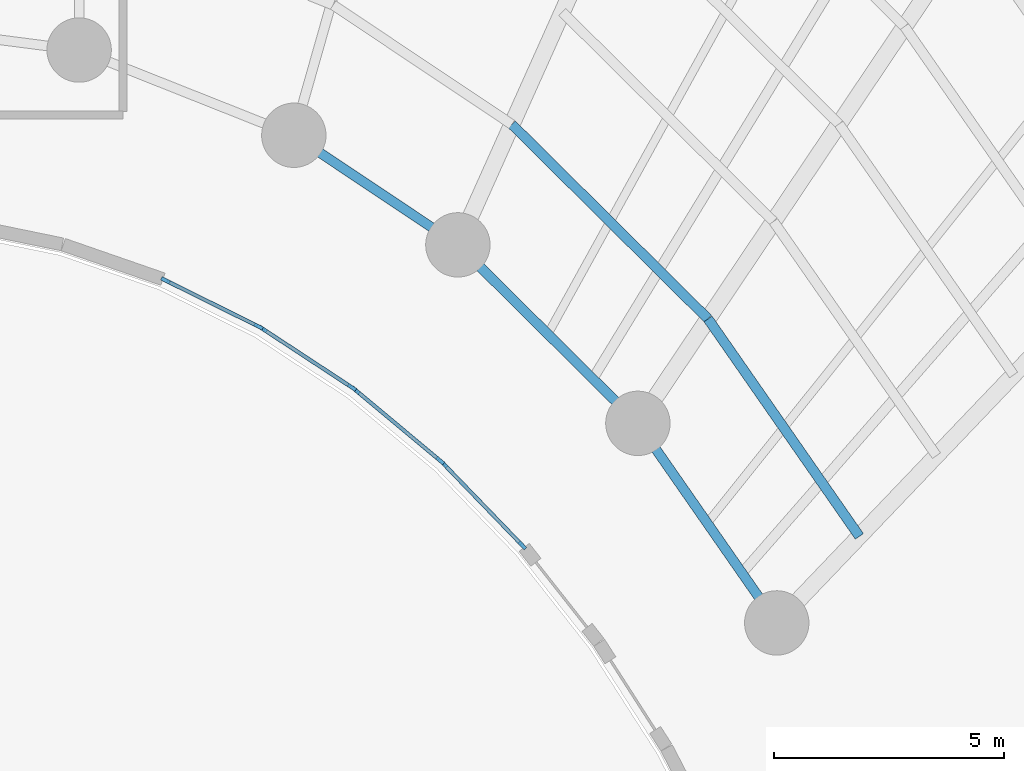
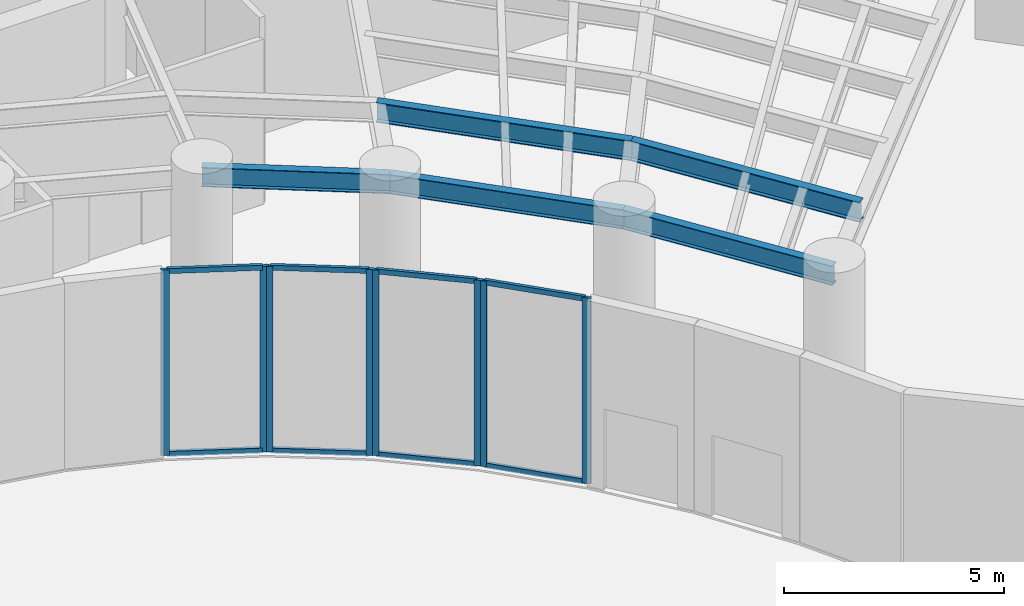
# One storey, part 3 of 17: 16 members, 5 beams, 4 elements without a shape of their own.
"""IFC4 building model written with IfcOpenShell, lengths in metres."""

from ifc_helpers import new_model, si_unit, direction, frame, origin, origin_2d, place, context, subcontext, project, spatial, rectangle, i_section, extrude, source, transform, mapped, material, layer, layer_set, material_profile, profile_set, type_object, type_shapes, element, aggregate, save


model = new_model("IFC4")

# Units and contexts
model_context = context("Model", 3, precision=1e-05, world=origin(), true_north=direction((0.0, 1.0)))
body_context = subcontext(model_context, "Body", "Model", "MODEL_VIEW")
ifc_project = project(units=[si_unit("LENGTHUNIT", "METRE"), si_unit("AREAUNIT", "SQUARE_METRE"), si_unit("VOLUMEUNIT", "CUBIC_METRE"), si_unit("PLANEANGLEUNIT", "RADIAN"), si_unit("MASSUNIT", "GRAM", prefix="KILO")], contexts=[model_context])

# Site, building, storey
site_placement = place(None, origin())
site = spatial("IfcSite", under=ifc_project, at=site_placement, CompositionType="ELEMENT")
building_placement = place(site_placement, origin())
building = spatial("IfcBuilding", under=site, at=building_placement, Name="Breltana Convention Tower", CompositionType="ELEMENT")
storey_placement = place(building_placement, frame((0.0, 0.0, 30.0)))
storey = spatial("IfcBuildingStorey", under=building, at=storey_placement, Name="L05", CompositionType="ELEMENT", Elevation=30.0)

# Beams
ifc_material_1 = material(Name="Steel ASTM A992 Grade 50", Category="steel")
ifc_material_profile_1 = material_profile(ifc_material_1, i_section(OverallWidth=0.2099609375, OverallDepth=0.537109375, WebThickness=0.010986328125, FlangeThickness=0.017333984375, at=origin_2d()), Name="W21X68")
ifc_profile_set_1 = profile_set([ifc_material_profile_1], Name="Steel ASTM A992 Grade 50")
beam_type_1 = type_object("IfcBeamType", Name="BM-BM-W21X68", PredefinedType="BEAM", material=ifc_profile_set_1)
shared_shape_1 = source(origin(), body_context, "Body", "SweptSolid", [
    extrude(i_section(OverallWidth=0.2099609375, OverallDepth=0.537109375, WebThickness=0.010986328125, FlangeThickness=0.017333984375, at=origin_2d()), origin(), (0.0, 0.0, 1.0), 4.2900390625),
])
beam_1_placement = place(storey_placement, frame((57.514892578125, 53.5576171875, 4.8916015625), z_axis=(0.831515827753, -0.555501060482, 0.0), x_axis=(0.555501060482, 0.831515827753, 0.0)))
element("IfcBeam", 1, at=beam_1_placement, inside=storey, type_object=beam_type_1, Name="L05 Inner Ring Beam 08", PredefinedType="BEAM", context=body_context, shape_type="MappedRepresentation", body=[
    mapped(shared_shape_1, transform((0.0, 0.0, 0.0), scale=1.0)),
])
shared_shape_2 = source(origin(), body_context, "Body", "SweptSolid", [
    extrude(i_section(OverallWidth=0.2099609375, OverallDepth=0.537109375, WebThickness=0.010986328125, FlangeThickness=0.017333984375, at=origin_2d()), origin(), (0.0, 0.0, 1.0), 5.51171875),
])
beam_2_placement = place(storey_placement, frame((61.08203125, 51.174560546875, 4.8916015625), z_axis=(0.710090360749, -0.704110559196, 0.0), x_axis=(0.704110559196, 0.710090360749, 0.0)))
element("IfcBeam", 2, at=beam_2_placement, inside=storey, type_object=beam_type_1, Name="L05 Inner Ring Beam 09", PredefinedType="BEAM", context=body_context, shape_type="MappedRepresentation", body=[
    mapped(shared_shape_2, transform((0.0, 0.0, 0.0), scale=1.0)),
])
ifc_material_profile_2 = material_profile(ifc_material_1, i_section(OverallWidth=0.214111328125, OverallDepth=0.549072265625, WebThickness=0.0146484375, FlangeThickness=0.023681640625, at=origin_2d()), Name="W21X93")
ifc_profile_set_2 = profile_set([ifc_material_profile_2], Name="Steel ASTM A992 Grade 50")
beam_type_2 = type_object("IfcBeamType", Name="BM-JSG-03", PredefinedType="JOIST", material=ifc_profile_set_2)
shared_shape_3 = source(origin(), body_context, "Body", "SweptSolid", [
    extrude(i_section(OverallWidth=0.214111328125, OverallDepth=0.549072265625, WebThickness=0.0146484375, FlangeThickness=0.023681640625, at=origin_2d()), origin(), (0.0, 0.0, 1.0), 6.00634765625),
])
beam_3_placement = place(storey_placement, frame((62.25634765625, 53.793212890625, 4.885498046875), z_axis=(0.710108283635, -0.704092483636, 0.0), x_axis=(0.704092483636, 0.710108283635, 0.0)))
element("IfcBeam", 3, at=beam_3_placement, inside=storey, type_object=beam_type_2, Name="L05 Composite Floor Joist 09.1", PredefinedType="JOIST", context=body_context, shape_type="MappedRepresentation", body=[
    mapped(shared_shape_3, transform((0.0, 0.0, 0.0), scale=1.0)),
])
shared_shape_4 = source(origin(), body_context, "Body", "SweptSolid", [
    extrude(i_section(OverallWidth=0.2099609375, OverallDepth=0.537109375, WebThickness=0.010986328125, FlangeThickness=0.017333984375, at=origin_2d()), origin(), (0.0, 0.0, 1.0), 5.286376953125),
])
beam_4_placement = place(storey_placement, frame((64.995849609375, 47.293701171875, 4.8916015625), z_axis=(0.571194382458, -0.82081482531, 0.0), x_axis=(0.82081482531, 0.571194382458, 0.0)))
element("IfcBeam", 4, at=beam_4_placement, inside=storey, type_object=beam_type_1, Name="L05 Inner Ring Beam 10", PredefinedType="BEAM", context=body_context, shape_type="MappedRepresentation", body=[
    mapped(shared_shape_4, transform((0.0, 0.0, 0.0), scale=1.0)),
])
shared_shape_5 = source(origin(), body_context, "Body", "SweptSolid", [
    extrude(i_section(OverallWidth=0.214111328125, OverallDepth=0.549072265625, WebThickness=0.0146484375, FlangeThickness=0.023681640625, at=origin_2d()), origin(), (0.0, 0.0, 1.0), 5.760986328125),
])
beam_5_placement = place(storey_placement, frame((66.521484375, 49.564208984375, 4.885498046875), z_axis=(0.571224653223, -0.820793759449, 0.0), x_axis=(0.820793759449, 0.571224653223, 0.0)))
element("IfcBeam", 5, at=beam_5_placement, inside=storey, type_object=beam_type_2, Name="L05 Composite Floor Joist 10.1", PredefinedType="JOIST", context=body_context, shape_type="MappedRepresentation", body=[
    mapped(shared_shape_5, transform((0.0, 0.0, 0.0), scale=1.0)),
])

# Curtain wall, members
ifc_material_2 = material(Name="Aluminium Anodised Bronze Frame", Category="aluminium")
ifc_layer = layer(ifc_material_2, 0.18994140625, Name="Aluminium Anodised Bronze Frame")
ifc_layer_set = layer_set([ifc_layer], Name="Aluminium Anodised Bronze Frame")
curtain_wall_type = type_object("IfcCurtainWallType", Name="CW-SYS-1", PredefinedType="NOTDEFINED", material=ifc_layer_set)
curtain_wall_1_placement = place(storey_placement, origin())
curtain_wall_1 = element("IfcCurtainWall", 6, at=curtain_wall_1_placement, inside=storey, type_object=curtain_wall_type, Name="L05 inner south-court glazing 3", PredefinedType="NOTDEFINED")
ifc_material_3 = material(Name="Aluminium Anodised Bronze", Category="aluminium")
ifc_material_profile_3 = material_profile(ifc_material_3, rectangle(XDim=0.080078125, YDim=0.199951171875, at=origin_2d()), Name="CWM-80X200")
ifc_profile_set_3 = profile_set([ifc_material_profile_3], Name="Aluminium Anodised Bronze")
member_type_1 = type_object("IfcMemberType", Name="CWM-200", PredefinedType="MULLION", material=ifc_profile_set_3)
shared_shape_6 = source(origin(), body_context, "Body", "SweptSolid", [
    extrude(rectangle(XDim=0.080078125, YDim=0.199951171875, at=origin_2d()), origin(), (0.0, 0.0, 1.0), 5.159912109375),
])
type_shapes(member_type_1, [shared_shape_6])
member_1_placement = place(storey_placement, frame((62.48388671875, 44.638916015625, 0.0), z_axis=(0.0, 0.0, 1.0), x_axis=(-0.719384548773, -0.694612029111, 0.0)))
member_1 = element("IfcMember", 7, at=member_1_placement, type_object=member_type_1, Name="CW-01 mullion 1", PredefinedType="MULLION", context=body_context, shape_type="MappedRepresentation", body=[
    mapped(shared_shape_6, transform((0.0, 0.0, 0.0), scale=1.0)),
])
member_2_placement = place(storey_placement, frame((60.77001953125, 46.413818359375, 0.0), z_axis=(0.0, 0.0, 1.0), x_axis=(-0.719384548773, -0.694612029111, 0.0)))
member_2 = element("IfcMember", 8, at=member_2_placement, type_object=member_type_1, Name="CW-01 mullion 2", PredefinedType="MULLION", context=body_context, shape_type="MappedRepresentation", body=[
    mapped(shared_shape_6, transform((0.0, 0.0, 0.0), scale=1.0)),
])

curtain_wall_2_placement = place(storey_placement, origin())
curtain_wall_2 = element("IfcCurtainWall", 9, at=curtain_wall_2_placement, inside=storey, type_object=curtain_wall_type, Name="L05 inner south-court glazing 4", PredefinedType="NOTDEFINED")
member_3_placement = place(storey_placement, frame((60.697265625, 46.481201171875, 0.0), z_axis=(0.0, 0.0, 1.0), x_axis=(-0.640522524458, -0.767939382804, 0.0)))
member_3 = element("IfcMember", 10, at=member_3_placement, type_object=member_type_1, Name="CW-01 mullion 1", PredefinedType="MULLION", context=body_context, shape_type="MappedRepresentation", body=[
    mapped(shared_shape_6, transform((0.0, 0.0, 0.0), scale=1.0)),
])
member_4_placement = place(storey_placement, frame((58.8603515625, 48.013671875, 0.0), z_axis=(0.0, 0.0, 1.0), x_axis=(-0.640522524458, -0.767939382804, 0.0)))
member_4 = element("IfcMember", 11, at=member_4_placement, type_object=member_type_1, Name="CW-01 mullion 2", PredefinedType="MULLION", context=body_context, shape_type="MappedRepresentation", body=[
    mapped(shared_shape_6, transform((0.0, 0.0, 0.0), scale=1.0)),
])

curtain_wall_3_placement = place(storey_placement, origin())
curtain_wall_3 = element("IfcCurtainWall", 12, at=curtain_wall_3_placement, inside=storey, type_object=curtain_wall_type, Name="L05 inner south-court glazing 5", PredefinedType="NOTDEFINED")
member_5_placement = place(storey_placement, frame((58.779541015625, 48.073486328125, 0.0), z_axis=(0.0, 0.0, 1.0), x_axis=(-0.548778278441, -0.835967942634, 0.0)))
member_5 = element("IfcMember", 13, at=member_5_placement, type_object=member_type_1, Name="CW-01 mullion 1", PredefinedType="MULLION", context=body_context, shape_type="MappedRepresentation", body=[
    mapped(shared_shape_6, transform((0.0, 0.0, 0.0), scale=1.0)),
])
member_6_placement = place(storey_placement, frame((56.83837890625, 49.347900390625, 0.0), z_axis=(0.0, 0.0, 1.0), x_axis=(-0.548778278441, -0.835967942634, 0.0)))
member_6 = element("IfcMember", 14, at=member_6_placement, type_object=member_type_1, Name="CW-01 mullion 2", PredefinedType="MULLION", context=body_context, shape_type="MappedRepresentation", body=[
    mapped(shared_shape_6, transform((0.0, 0.0, 0.0), scale=1.0)),
])

curtain_wall_4_placement = place(storey_placement, origin())
curtain_wall_4 = element("IfcCurtainWall", 15, at=curtain_wall_4_placement, inside=storey, type_object=curtain_wall_type, Name="L05 inner south-court glazing 6", PredefinedType="NOTDEFINED")
member_7_placement = place(storey_placement, frame((56.750244140625, 49.3984375, 0.0), z_axis=(0.0, 0.0, 1.0), x_axis=(-0.444117987602, -0.895968310315, 0.0)))
member_7 = element("IfcMember", 16, at=member_7_placement, type_object=member_type_1, Name="CW-01 mullion 1", PredefinedType="MULLION", context=body_context, shape_type="MappedRepresentation", body=[
    mapped(shared_shape_6, transform((0.0, 0.0, 0.0), scale=1.0)),
])
member_8_placement = place(storey_placement, frame((54.724609375, 50.40234375, 0.0), z_axis=(0.0, 0.0, 1.0), x_axis=(-0.444117987602, -0.895968310315, 0.0)))
member_8 = element("IfcMember", 17, at=member_8_placement, type_object=member_type_1, Name="CW-01 mullion 2", PredefinedType="MULLION", context=body_context, shape_type="MappedRepresentation", body=[
    mapped(shared_shape_6, transform((0.0, 0.0, 0.0), scale=1.0)),
])

# Member
ifc_material_profile_4 = material_profile(ifc_material_3, rectangle(XDim=0.080078125, YDim=0.139892578125, at=origin_2d()), Name="CWT-80X140")
ifc_profile_set_4 = profile_set([ifc_material_profile_4], Name="Aluminium Anodised Bronze")
member_type_2 = type_object("IfcMemberType", Name="CWT-140", PredefinedType="USERDEFINED", material=ifc_profile_set_4)
shared_shape_7 = source(origin(), body_context, "Body", "SweptSolid", [
    extrude(rectangle(XDim=0.080078125, YDim=0.139892578125, at=origin_2d()), origin(), (0.0, 0.0, 1.0), 2.38720703125),
])
type_shapes(member_type_2, [shared_shape_7])
member_9_placement = place(storey_placement, frame((62.4560546875, 44.667724609375, 0.0400390625), z_axis=(-0.694623715393, 0.719373264734, 0.0), x_axis=(-0.719373264734, -0.694623715393, 0.0)))
member_9 = element("IfcMember", 18, at=member_9_placement, type_object=member_type_2, Name="CW-01 transom 1.1", ObjectType="TRANSOM", PredefinedType="USERDEFINED", context=body_context, shape_type="MappedRepresentation", body=[
    mapped(shared_shape_7, transform((0.0, 0.0, 0.0), scale=1.0)),
])

member_10_placement = place(storey_placement, frame((62.4560546875, 44.667724609375, 5.1201171875), z_axis=(-0.694623715393, 0.719373264734, 0.0), x_axis=(-0.719373264734, -0.694623715393, 0.0)))
member_10 = element("IfcMember", 19, at=member_10_placement, type_object=member_type_2, Name="CW-01 transom 1.2", ObjectType="TRANSOM", PredefinedType="USERDEFINED", context=body_context, shape_type="MappedRepresentation", body=[
    mapped(shared_shape_7, transform((0.0, 0.0, 0.0), scale=1.0)),
])

aggregate(curtain_wall_1, [member_1, member_2, member_9, member_10])

shared_shape_8 = source(origin(), body_context, "Body", "SweptSolid", [
    extrude(rectangle(XDim=0.080078125, YDim=0.139892578125, at=origin_2d()), origin(), (0.0, 0.0, 1.0), 2.312255859375),
])
member_11_placement = place(storey_placement, frame((60.666748046875, 46.5068359375, 0.0400390625), z_axis=(-0.767900974507, 0.640568570374, 0.0), x_axis=(-0.640568570374, -0.767900974507, 0.0)))
member_11 = element("IfcMember", 20, at=member_11_placement, type_object=member_type_2, Name="CW-01 transom 1.1", ObjectType="TRANSOM", PredefinedType="USERDEFINED", context=body_context, shape_type="MappedRepresentation", body=[
    mapped(shared_shape_8, transform((0.0, 0.0, 0.0), scale=1.0)),
])

member_12_placement = place(storey_placement, frame((60.666748046875, 46.5068359375, 5.1201171875), z_axis=(-0.767900974507, 0.640568570374, 0.0), x_axis=(-0.640568570374, -0.767900974507, 0.0)))
member_12 = element("IfcMember", 21, at=member_12_placement, type_object=member_type_2, Name="CW-01 transom 1.2", ObjectType="TRANSOM", PredefinedType="USERDEFINED", context=body_context, shape_type="MappedRepresentation", body=[
    mapped(shared_shape_8, transform((0.0, 0.0, 0.0), scale=1.0)),
])

aggregate(curtain_wall_2, [member_3, member_4, member_11, member_12])

shared_shape_9 = source(origin(), body_context, "Body", "SweptSolid", [
    extrude(rectangle(XDim=0.080078125, YDim=0.139892578125, at=origin_2d()), origin(), (0.0, 0.0, 1.0), 2.2421875),
])
member_13_placement = place(storey_placement, frame((58.746337890625, 48.095458984375, 0.0400390625), z_axis=(-0.835982353773, 0.548756324957, 0.0), x_axis=(-0.548756324957, -0.835982353773, 0.0)))
member_13 = element("IfcMember", 22, at=member_13_placement, type_object=member_type_2, Name="CW-01 transom 1.1", ObjectType="TRANSOM", PredefinedType="USERDEFINED", context=body_context, shape_type="MappedRepresentation", body=[
    mapped(shared_shape_9, transform((0.0, 0.0, 0.0), scale=1.0)),
])

member_14_placement = place(storey_placement, frame((58.746337890625, 48.095458984375, 5.1201171875), z_axis=(-0.835982353773, 0.548756324957, 0.0), x_axis=(-0.548756324957, -0.835982353773, 0.0)))
member_14 = element("IfcMember", 23, at=member_14_placement, type_object=member_type_2, Name="CW-01 transom 1.2", ObjectType="TRANSOM", PredefinedType="USERDEFINED", context=body_context, shape_type="MappedRepresentation", body=[
    mapped(shared_shape_9, transform((0.0, 0.0, 0.0), scale=1.0)),
])

aggregate(curtain_wall_3, [member_5, member_6, member_13, member_14])

shared_shape_10 = source(origin(), body_context, "Body", "SweptSolid", [
    extrude(rectangle(XDim=0.080078125, YDim=0.139892578125, at=origin_2d()), origin(), (0.0, 0.0, 1.0), 2.180908203125),
])
member_15_placement = place(storey_placement, frame((56.71435546875, 49.416015625, 0.0400390625), z_axis=(-0.895922266369, 0.444210865045, 0.0), x_axis=(-0.444210865045, -0.895922266369, 0.0)))
member_15 = element("IfcMember", 24, at=member_15_placement, type_object=member_type_2, Name="CW-01 transom 1.1", ObjectType="TRANSOM", PredefinedType="USERDEFINED", context=body_context, shape_type="MappedRepresentation", body=[
    mapped(shared_shape_10, transform((0.0, 0.0, 0.0), scale=1.0)),
])

member_16_placement = place(storey_placement, frame((56.71435546875, 49.416015625, 5.1201171875), z_axis=(-0.895922266369, 0.444210865045, 0.0), x_axis=(-0.444210865045, -0.895922266369, 0.0)))
member_16 = element("IfcMember", 25, at=member_16_placement, type_object=member_type_2, Name="CW-01 transom 1.2", ObjectType="TRANSOM", PredefinedType="USERDEFINED", context=body_context, shape_type="MappedRepresentation", body=[
    mapped(shared_shape_10, transform((0.0, 0.0, 0.0), scale=1.0)),
])

aggregate(curtain_wall_4, [member_7, member_8, member_15, member_16])

save(model, "model.ifc")
